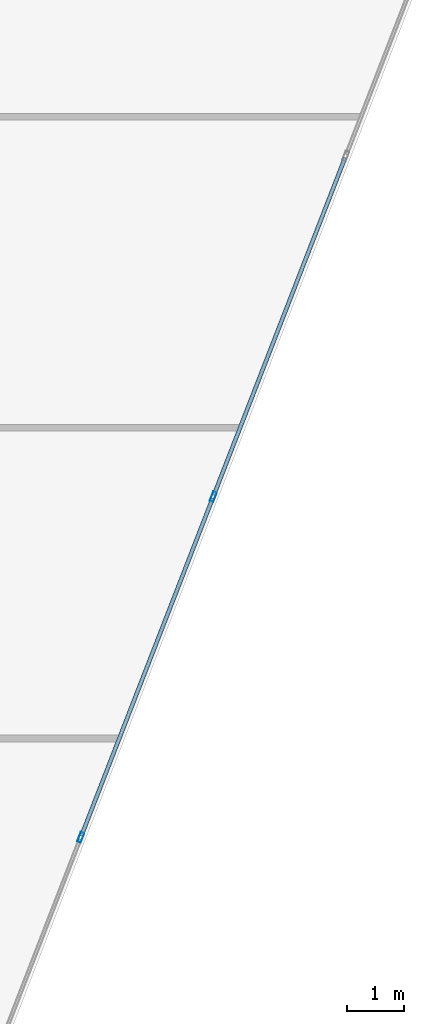
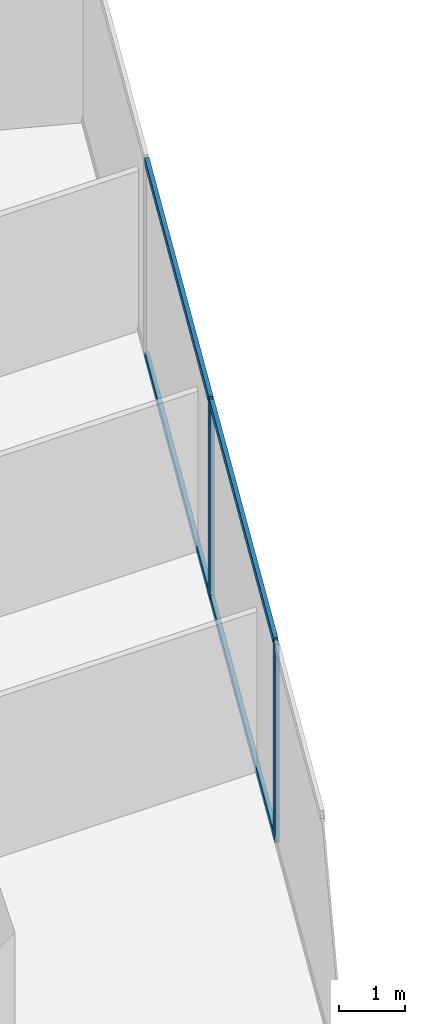
# One storey, part 12 of 26: 6 members, 1 element without a shape of its own.
"""IFC4 building model written with IfcOpenShell, lengths in metres."""

import ifcopenshell
import ifcopenshell.guid

model = None  # the IFC model being written
_history = None  # IfcOwnerHistory: only IFC2X3 demands one
_inside = {}  # id of a spatial element -> (the spatial element, [elements in it])
_under = {}  # id of a project, library or spatial element -> (it, [spatial elements below it])
_declared = {}  # id of a project -> (the project, [libraries it declares])
_typed = {}  # id of a type object -> (the type object, [elements of that type])
_made_of = {}  # id of a material, layer set ... -> (it, [elements and type objects made of it])


def new_model(schema):
    """Start an empty IFC model of exactly this schema.

    Asked for "IFC4X3", IfcOpenShell would pick the latest addendum, in which some entities
    have other attributes; the version numbers below select the first issue.
    IFC2X3 requires an IfcOwnerHistory on every rooted entity: one is made here for all.
    """
    global model, _history
    if schema == "IFC4X3":
        model = ifcopenshell.file(schema_version=(4, 3, 0, 0))
    else:
        model = ifcopenshell.file(schema=schema)
    _inside.clear()
    _under.clear()
    _declared.clear()
    _typed.clear()
    _made_of.clear()
    _history = None
    if model.schema == "IFC2X3":
        org = make("IfcOrganization", Name="unknown")
        user = make(
            "IfcPersonAndOrganization",
            ThePerson=make("IfcPerson", FamilyName="unknown"),
            TheOrganization=org,
        )
        app = make(
            "IfcApplication",
            ApplicationDeveloper=org,
            Version="unknown",
            ApplicationFullName="unknown",
            ApplicationIdentifier="unknown",
        )
        _history = make(
            "IfcOwnerHistory",
            OwningUser=user,
            OwningApplication=app,
            ChangeAction="ADDED",
            CreationDate=0,
        )
    return model


def make(cls, **values):
    """One entity of the class cls with the attributes given. An attribute that is None is left unset."""
    return model.create_entity(
        cls, **{name: value for name, value in values.items() if value is not None}
    )


def rooted(cls, **values):
    """An entity with a GlobalId (a new one), such as an element, a storey or a relation."""
    return make(cls, GlobalId=ifcopenshell.guid.new(), OwnerHistory=_history, **values)


def si_unit(unit_type, name, prefix=None):
    """IfcSIUnit, for example si_unit("LENGTHUNIT", "METRE", prefix="MILLI")."""
    return make("IfcSIUnit", UnitType=unit_type, Prefix=prefix, Name=name)


def assignment(units):
    """IfcUnitAssignment: the units of a project."""
    return None if units is None else make("IfcUnitAssignment", Units=units)


def point(xyz):
    """IfcCartesianPoint."""
    return None if xyz is None else make("IfcCartesianPoint", Coordinates=xyz)


def direction(xyz):
    """IfcDirection."""
    return None if xyz is None else make("IfcDirection", DirectionRatios=xyz)


def frame(location, z_axis=None, x_axis=None):
    """IfcAxis2Placement3D, a coordinate frame: its origin and axes. An axis left out is left unset."""
    return make(
        "IfcAxis2Placement3D",
        Location=point(location),
        Axis=direction(z_axis),
        RefDirection=direction(x_axis),
    )


def frame_2d(location, x_axis=None):
    """IfcAxis2Placement2D, a coordinate frame in the plane: its origin and x axis."""
    return make(
        "IfcAxis2Placement2D", Location=point(location), RefDirection=direction(x_axis)
    )


def origin():
    """The frame at (0, 0, 0) with its axes left unset."""
    return frame((0.0, 0.0, 0.0))


def origin_2d():
    """The frame at (0, 0) in the plane with its x axis left unset."""
    return frame_2d((0.0, 0.0))


def place(relative_to, where):
    """IfcLocalPlacement: puts the frame where relative to a parent placement (None: the world)."""
    return make(
        "IfcLocalPlacement", PlacementRelTo=relative_to, RelativePlacement=where
    )


def context(
    kind, dimensions, precision=None, world=None, true_north=None, identifier=None
):
    """IfcGeometricRepresentationContext, for example the 3D "Model" context."""
    return make(
        "IfcGeometricRepresentationContext",
        ContextIdentifier=identifier,
        ContextType=kind,
        CoordinateSpaceDimension=dimensions,
        Precision=precision,
        WorldCoordinateSystem=world,
        TrueNorth=true_north,
    )


def subcontext(parent, identifier, kind, view, scale=None):
    """IfcGeometricRepresentationSubContext, for example "Body" below "Model"."""
    return make(
        "IfcGeometricRepresentationSubContext",
        ContextIdentifier=identifier,
        ContextType=kind,
        ParentContext=parent,
        TargetScale=scale,
        TargetView=view,
    )


def project(units=None, contexts=None):
    """IfcProject with its units and contexts."""
    return rooted(
        "IfcProject",
        Name="project",
        RepresentationContexts=contexts,
        UnitsInContext=assignment(units),
    )


def spatial(cls, under=None, at=None, **own):
    """A site, building, storey or space (cls), placed at a placement, below another one or the project."""
    s = rooted(cls, ObjectPlacement=at, **own)
    if under is not None:
        _under.setdefault(under.id(), (under, []))[1].append(s)
    return s


def profile(cls, at=None, kind="AREA", **sizes):
    """A parametric profile (cls). Its sizes go by their IFC names, for example OverallWidth=200.0."""
    return make(cls, ProfileType=kind, Position=at, **sizes)


def hollow_rectangle(**sizes):
    """IfcRectangleHollowProfileDef."""
    return profile("IfcRectangleHollowProfileDef", **sizes)


def extrude(swept, where, along, depth):
    """IfcExtrudedAreaSolid: the profile swept, set in the frame where, extruded along a direction by depth."""
    return make(
        "IfcExtrudedAreaSolid",
        SweptArea=swept,
        Position=where,
        ExtrudedDirection=direction(along),
        Depth=depth,
    )


def shape(context_of_items, identifier, shape_type, items):
    """IfcShapeRepresentation: the items that make up one representation, for example the "Body"."""
    return make(
        "IfcShapeRepresentation",
        ContextOfItems=context_of_items,
        RepresentationIdentifier=identifier,
        RepresentationType=shape_type,
        Items=items,
    )


def source(mapping_origin, context_of_items, identifier, shape_type, items):
    """IfcRepresentationMap: a shape defined once, which mapped items show again and again."""
    return make(
        "IfcRepresentationMap",
        MappingOrigin=mapping_origin,
        MappedRepresentation=shape(context_of_items, identifier, shape_type, items),
    )


def transform(
    local_origin,
    x_axis=None,
    y_axis=None,
    z_axis=None,
    scale=None,
    scale2=None,
    scale3=None,
    uniform=True,
):
    """IfcCartesianTransformationOperator3D, or its non-uniform kind. x_axis, y_axis, z_axis: its Axis1, 2, 3."""
    if uniform:
        return make(
            "IfcCartesianTransformationOperator3D",
            Axis1=direction(x_axis),
            Axis2=direction(y_axis),
            LocalOrigin=point(local_origin),
            Scale=scale,
            Axis3=direction(z_axis),
        )
    return make(
        "IfcCartesianTransformationOperator3DnonUniform",
        Axis1=direction(x_axis),
        Axis2=direction(y_axis),
        LocalOrigin=point(local_origin),
        Scale=scale,
        Axis3=direction(z_axis),
        Scale2=scale2,
        Scale3=scale3,
    )


def mapped(mapping_source, mapping_target):
    """IfcMappedItem: shows the shape of a source again, moved by a transform."""
    return make(
        "IfcMappedItem", MappingSource=mapping_source, MappingTarget=mapping_target
    )


def material(Name=None, Category=None):
    """IfcMaterial."""
    return make("IfcMaterial", Name=Name, Category=Category)


def material_profile(
    of_material, cross_section, Name=None, Category=None, Priority=None
):
    """IfcMaterialProfile: a cross section and its material."""
    return make(
        "IfcMaterialProfile",
        Name=Name,
        Material=of_material,
        Profile=cross_section,
        Priority=Priority,
        Category=Category,
    )


def profile_set(profiles, Name=None, composite=None):
    """IfcMaterialProfileSet."""
    return make(
        "IfcMaterialProfileSet",
        Name=Name,
        MaterialProfiles=profiles,
        CompositeProfile=composite,
    )


def made_of(thing, what):
    """Note that an element or type object is made of a material, layer set ...; save() writes the relation."""
    if what is not None:
        _made_of.setdefault(what.id(), (what, []))[1].append(thing)
    return thing


def type_object(cls, material=None, **own):
    """A type object (cls), such as IfcWallType, which elements share."""
    return made_of(rooted(cls, **own), material)


def type_shapes(of_type, sources):
    """Give a type object the sources (RepresentationMaps) that its elements show as mapped items."""
    of_type.RepresentationMaps = sources


def element(
    cls,
    number,
    at=None,
    inside=None,
    cuts=None,
    type_object=None,
    material=None,
    context=None,
    identifier="Body",
    shape_type=None,
    held_by="IfcProductDefinitionShape",
    body=None,
    shapes=None,
    **own,
):
    """One element of the class cls, such as IfcWall. Its Tag is "e" and its number.

    at: its placement. inside: the storey or other place that contains it. cuts: it is an
    opening in that element (IfcRelVoidsElement). A single representation is given by context,
    identifier, shape_type and body (its items); several are given by shapes. held_by: the class
    of the entity that holds the representations. save() writes the other relations.
    """
    e = rooted(cls, Tag="e%d" % number, ObjectPlacement=at, **own)
    if body is not None:
        shapes = [shape(context, identifier, shape_type, body)]
    if shapes is not None:
        e.Representation = make(held_by, Representations=shapes)
    if inside is not None:
        _inside.setdefault(inside.id(), (inside, []))[1].append(e)
    if cuts is not None:
        rooted(
            "IfcRelVoidsElement", RelatingBuildingElement=cuts, RelatedOpeningElement=e
        )
    if type_object is not None:
        _typed.setdefault(type_object.id(), (type_object, []))[1].append(e)
    return made_of(e, material)


def aggregate(whole, parts):
    """IfcRelAggregates: a whole, such as a stair, and the parts it consists of."""
    return rooted("IfcRelAggregates", RelatingObject=whole, RelatedObjects=parts)


def save(model, path):
    """Write the relations noted so far, then the file.

    IfcRelAggregates (storeys below a building ...), IfcRelContainedInSpatialStructure (elements
    in a storey), IfcRelDefinesByType, IfcRelAssociatesMaterial and IfcRelDeclares: one each for
    every whole, place, type object, material and project.
    """
    for whole, parts in _under.values():
        aggregate(whole, parts)
    for where, things in _inside.values():
        rooted(
            "IfcRelContainedInSpatialStructure",
            RelatedElements=things,
            RelatingStructure=where,
        )
    for kind, things in _typed.values():
        rooted("IfcRelDefinesByType", RelatedObjects=things, RelatingType=kind)
    for what, things in _made_of.values():
        rooted("IfcRelAssociatesMaterial", RelatedObjects=things, RelatingMaterial=what)
    for by, libraries in _declared.values():
        rooted("IfcRelDeclares", RelatingContext=by, RelatedDefinitions=libraries)
    model.write(path)


model = new_model("IFC4")

# Units and contexts
model_context = context("Model", 3, precision=1e-05, world=origin(), true_north=direction((0.0, 1.0)))
body_context = subcontext(model_context, "Body", "Model", "MODEL_VIEW")
ifc_project = project(units=[si_unit("LENGTHUNIT", "METRE"), si_unit("AREAUNIT", "SQUARE_METRE"), si_unit("VOLUMEUNIT", "CUBIC_METRE"), si_unit("PLANEANGLEUNIT", "RADIAN"), si_unit("MASSUNIT", "GRAM", prefix="KILO")], contexts=[model_context])

# Site, building, storey
site_placement = place(None, origin())
site = spatial("IfcSite", under=ifc_project, at=site_placement, CompositionType="ELEMENT")
building_placement = place(site_placement, origin())
building = spatial("IfcBuilding", under=site, at=building_placement, Name="Krantzveldt Concourse Tower", CompositionType="ELEMENT")
storey_placement = place(building_placement, frame((0.0, 0.0, 129.550048828125)))
storey = spatial("IfcBuildingStorey", under=building, at=storey_placement, Name="L31", CompositionType="ELEMENT", Elevation=129.550048828125)

# Curtain wall, members
ifc_material = material(Name="Anodised aluminium 6063-T6", Category="aluminium")
curtain_wall_type = type_object("IfcCurtainWallType", Name="CW2", PredefinedType="USERDEFINED", material=ifc_material)
curtain_wall_placement = place(storey_placement, origin())
curtain_wall = element("IfcCurtainWall", 1, at=curtain_wall_placement, inside=storey, type_object=curtain_wall_type, Name="CW-L31-F11", ObjectType="UNITISED CURTAIN WALL", PredefinedType="USERDEFINED")
ifc_material_profile_1 = material_profile(ifc_material, hollow_rectangle(XDim=0.070068359375, YDim=0.179931640625, WallThickness=0.0048828125, at=origin_2d()), Name="Anodised aluminium 6063-T6", Category="aluminium")
ifc_profile_set_1 = profile_set([ifc_material_profile_1], Name="Anodised aluminium 6063-T6 - ALU-MULL 180x70x5")
member_type_1 = type_object("IfcMemberType", Name="CW-MUL-180", PredefinedType="MULLION", material=ifc_profile_set_1)
shared_shape_1 = source(origin(), body_context, "Body", "SweptSolid", [
    extrude(hollow_rectangle(XDim=0.070068359375, YDim=0.179931640625, WallThickness=0.0048828125, at=origin_2d()), origin(), (0.0, 0.0, 1.0), 3.669921875),
])
type_shapes(member_type_1, [shared_shape_1])
member_1_placement = place(storey_placement, frame((57.72509765625, 18.25146484375, 0.0), z_axis=(0.0, 0.0, 1.0), x_axis=(-0.93200790248, 0.362437952917, 0.0)))
member_1 = element("IfcMember", 2, at=member_1_placement, type_object=member_type_1, Name="CW-Z12 mullion 4", PredefinedType="MULLION", context=body_context, shape_type="MappedRepresentation", body=[
    mapped(shared_shape_1, transform((0.0, 0.0, 0.0), x_axis=(1.0, 0.0, 0.0), y_axis=(0.0, 1.0, 0.0), z_axis=(0.0, 0.0, 1.0), scale=1.0)),
])
member_2_placement = place(storey_placement, frame((60.06884765625, 24.278564453125, 0.0), z_axis=(0.0, 0.0, 1.0), x_axis=(-0.93200790248, 0.362437952917, 0.0)))
member_2 = element("IfcMember", 3, at=member_2_placement, type_object=member_type_1, Name="CW-Z12 mullion 5", PredefinedType="MULLION", context=body_context, shape_type="MappedRepresentation", body=[
    mapped(shared_shape_1, transform((0.0, 0.0, 0.0), x_axis=(1.0, 0.0, 0.0), y_axis=(0.0, 1.0, 0.0), z_axis=(0.0, 0.0, 1.0), scale=1.0)),
])
ifc_material_profile_2 = material_profile(ifc_material, hollow_rectangle(XDim=0.070068359375, YDim=0.139892578125, WallThickness=0.0048828125, at=origin_2d()), Name="Anodised aluminium 6063-T6", Category="aluminium")
ifc_profile_set_2 = profile_set([ifc_material_profile_2], Name="Anodised aluminium 6063-T6 - ALU-TRAN 140x70x5")
member_type_2 = type_object("IfcMemberType", Name="CW-TRN-150", PredefinedType="USERDEFINED", material=ifc_profile_set_2)
shared_shape_2 = source(origin(), body_context, "Body", "SweptSolid", [
    extrude(hollow_rectangle(XDim=0.070068359375, YDim=0.139892578125, WallThickness=0.0048828125, at=origin_2d()), origin(), (0.0, 0.0, 1.0), 6.396484375),
])
type_shapes(member_type_2, [shared_shape_2])
member_3_placement = place(storey_placement, frame((57.73779296875, 18.2841796875, 0.034912109375), z_axis=(0.36243705186, 0.932008252882, 0.0), x_axis=(-0.932008252882, 0.36243705186, 0.0)))
member_3 = element("IfcMember", 4, at=member_3_placement, type_object=member_type_2, Name="CW-Z12 transom 4.1", ObjectType="TRANSOM", PredefinedType="USERDEFINED", context=body_context, shape_type="MappedRepresentation", body=[
    mapped(shared_shape_2, transform((0.0, 0.0, 0.0), x_axis=(1.0, 0.0, 0.0), y_axis=(0.0, 1.0, 0.0), z_axis=(0.0, 0.0, 1.0), scale=1.0)),
])
member_4_placement = place(storey_placement, frame((57.73779296875, 18.2841796875, 3.635009765625), z_axis=(0.36243705186, 0.932008252882, 0.0), x_axis=(-0.932008252882, 0.36243705186, 0.0)))
member_4 = element("IfcMember", 5, at=member_4_placement, type_object=member_type_2, Name="CW-Z12 transom 4.2", ObjectType="TRANSOM", PredefinedType="USERDEFINED", context=body_context, shape_type="MappedRepresentation", body=[
    mapped(shared_shape_2, transform((0.0, 0.0, 0.0), x_axis=(1.0, 0.0, 0.0), y_axis=(0.0, 1.0, 0.0), z_axis=(0.0, 0.0, 1.0), scale=1.0)),
])
member_5_placement = place(storey_placement, frame((60.08154296875, 24.311279296875, 0.034912109375), z_axis=(0.36243705186, 0.932008252882, 0.0), x_axis=(-0.932008252882, 0.36243705186, 0.0)))
member_5 = element("IfcMember", 6, at=member_5_placement, type_object=member_type_2, Name="CW-Z12 transom 5.1", ObjectType="TRANSOM", PredefinedType="USERDEFINED", context=body_context, shape_type="MappedRepresentation", body=[
    mapped(shared_shape_2, transform((0.0, 0.0, 0.0), x_axis=(1.0, 0.0, 0.0), y_axis=(0.0, 1.0, 0.0), z_axis=(0.0, 0.0, 1.0), scale=1.0)),
])
member_6_placement = place(storey_placement, frame((60.08154296875, 24.311279296875, 3.635009765625), z_axis=(0.36243705186, 0.932008252882, 0.0), x_axis=(-0.932008252882, 0.36243705186, 0.0)))
member_6 = element("IfcMember", 7, at=member_6_placement, type_object=member_type_2, Name="CW-Z12 transom 5.2", ObjectType="TRANSOM", PredefinedType="USERDEFINED", context=body_context, shape_type="MappedRepresentation", body=[
    mapped(shared_shape_2, transform((0.0, 0.0, 0.0), x_axis=(1.0, 0.0, 0.0), y_axis=(0.0, 1.0, 0.0), z_axis=(0.0, 0.0, 1.0), scale=1.0)),
])
aggregate(curtain_wall, [member_1, member_2, member_3, member_4, member_5, member_6])

save(model, "model.ifc")
